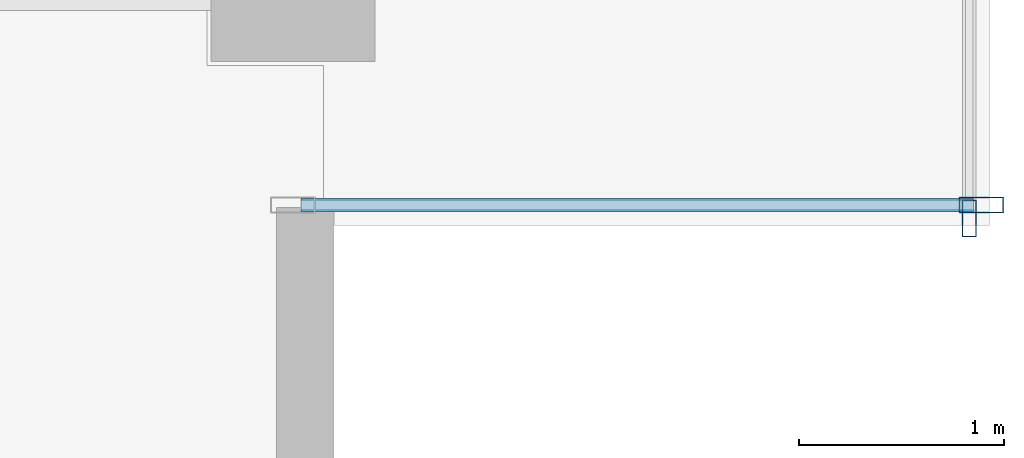
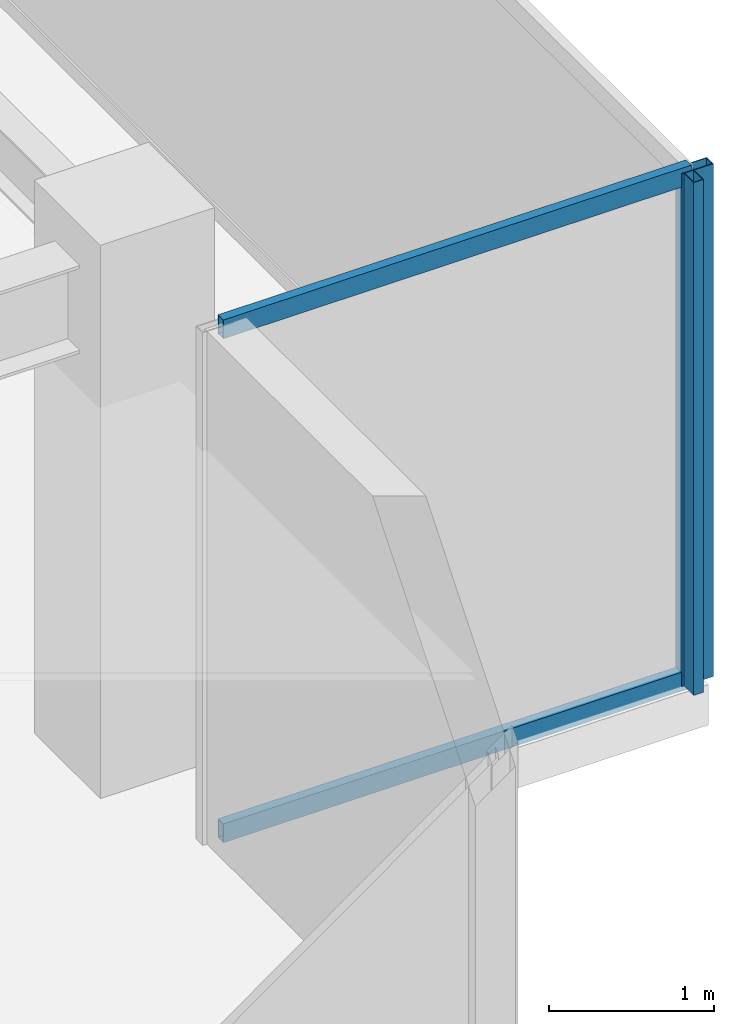
# One storey, part 22 of 35: 4 members, 2 elements without a shape of their own.
"""IFC4 building model written with IfcOpenShell, lengths in metres."""

from ifc_helpers import new_model, si_unit, direction, frame, origin, origin_2d, place, context, subcontext, project, spatial, hollow_rectangle, extrude, source, transform, mapped, material, layer, layer_set, material_profile, profile_set, type_object, type_shapes, element, aggregate, save


model = new_model("IFC4")

# Units and contexts
model_context = context("Model", 3, precision=1e-05, world=origin(), true_north=direction((0.0, 1.0)))
body_context = subcontext(model_context, "Body", "Model", "MODEL_VIEW")
ifc_project = project(units=[si_unit("LENGTHUNIT", "METRE"), si_unit("AREAUNIT", "SQUARE_METRE"), si_unit("VOLUMEUNIT", "CUBIC_METRE"), si_unit("PLANEANGLEUNIT", "RADIAN"), si_unit("MASSUNIT", "GRAM", prefix="KILO")], contexts=[model_context])

# Site, building, storey
site_placement = place(None, origin())
site = spatial("IfcSite", under=ifc_project, at=site_placement, CompositionType="ELEMENT")
building_placement = place(site_placement, origin())
building = spatial("IfcBuilding", under=site, at=building_placement, Name="Haelvirn Gate Laboratories", CompositionType="ELEMENT")
storey_placement = place(building_placement, frame((0.0, 0.0, 201.39990234375)))
storey = spatial("IfcBuildingStorey", under=building, at=storey_placement, Name="L48", CompositionType="ELEMENT", Elevation=201.39990234375)

# Curtain wall, members
ifc_material_1 = material(Name="Anodised bronze unitised aluminium & triple low-E glass", Category="aluminium")
ifc_layer_1 = layer(ifc_material_1, 0.181884765625, Name="CW-SYS-5")
ifc_layer_set_1 = layer_set([ifc_layer_1], Name="Anodised bronze unitised aluminium & triple low-E glass")
curtain_wall_type_1 = type_object("IfcCurtainWallType", Name="CW-SYS-5", PredefinedType="NOTDEFINED", material=ifc_layer_set_1)
curtain_wall_1_placement = place(storey_placement, origin())
curtain_wall_1 = element("IfcCurtainWall", 1, at=curtain_wall_1_placement, inside=storey, type_object=curtain_wall_type_1, Name="L48 Unitised Curtain Wall CW-L48-P0-E06-1", PredefinedType="NOTDEFINED")
ifc_material_2 = material(Name="Extruded aluminium 6063-T6 (anodised bronze)", Category="aluminium")
ifc_material_profile_1 = material_profile(ifc_material_2, hollow_rectangle(XDim=0.06494140625, YDim=0.139892578125, WallThickness=0.00390625, at=origin_2d()), Name="CWT-140x65x4")
ifc_profile_set_1 = profile_set([ifc_material_profile_1], Name="Extruded aluminium 6063-T6 (anodised bronze)")
member_type_1 = type_object("IfcMemberType", Name="CWT-T140", PredefinedType="USERDEFINED", material=ifc_profile_set_1)
shared_shape_1 = source(origin(), body_context, "Body", "SweptSolid", [
    extrude(hollow_rectangle(XDim=0.06494140625, YDim=0.139892578125, WallThickness=0.00390625, at=origin_2d()), origin(), (0.0, 0.0, 1.0), 3.280029296875),
])
type_shapes(member_type_1, [shared_shape_1])
member_1_placement = place(storey_placement, frame((67.43994140625, 5.89990234375, 0.03271484375), z_axis=(1.0, 0.0, 0.0), x_axis=(0.0, 1.0, 0.0)))
member_1 = element("IfcMember", 2, at=member_1_placement, type_object=member_type_1, Name="CW5 transom 1.1", ObjectType="TRANSOM", PredefinedType="USERDEFINED", context=body_context, shape_type="MappedRepresentation", body=[
    mapped(shared_shape_1, transform((0.0, 0.0, 0.0), scale=1.0)),
])
member_2_placement = place(storey_placement, frame((67.43994140625, 5.89990234375, 3.767578125), z_axis=(1.0, 0.0, 0.0), x_axis=(0.0, 1.0, 0.0)))
member_2 = element("IfcMember", 3, at=member_2_placement, type_object=member_type_1, Name="CW5 transom 1.2", ObjectType="TRANSOM", PredefinedType="USERDEFINED", context=body_context, shape_type="MappedRepresentation", body=[
    mapped(shared_shape_1, transform((0.0, 0.0, 0.0), scale=1.0)),
])

# Curtain wall, member
ifc_layer_2 = layer(ifc_material_1, 0.176025390625, Name="CW-SYS-4")
ifc_layer_set_2 = layer_set([ifc_layer_2], Name="Anodised bronze unitised aluminium & triple low-E glass")
curtain_wall_type_2 = type_object("IfcCurtainWallType", Name="CW-SYS-4", PredefinedType="NOTDEFINED", material=ifc_layer_set_2)
curtain_wall_2_placement = place(storey_placement, origin())
curtain_wall_2 = element("IfcCurtainWall", 4, at=curtain_wall_2_placement, inside=storey, type_object=curtain_wall_type_2, Name="L48 Unitised Curtain Wall CW-L48-P0-E07", PredefinedType="NOTDEFINED")
ifc_material_profile_2 = material_profile(ifc_material_2, hollow_rectangle(XDim=0.070068359375, YDim=0.179931640625, WallThickness=0.0048828125, at=origin_2d()), Name="CWM-180x70x5")
ifc_profile_set_2 = profile_set([ifc_material_profile_2], Name="Extruded aluminium 6063-T6 (anodised bronze)")
member_type_2 = type_object("IfcMemberType", Name="CWM-T180", PredefinedType="MULLION", material=ifc_profile_set_2)
shared_shape_2 = source(origin(), body_context, "Body", "SweptSolid", [
    extrude(hollow_rectangle(XDim=0.070068359375, YDim=0.179931640625, WallThickness=0.0048828125, at=origin_2d()), origin(), (0.0, 0.0, 1.0), 3.800048828125),
])
type_shapes(member_type_2, [shared_shape_2])
member_3_placement = place(storey_placement, frame((70.699951171875, 5.8349609375, 0.0), z_axis=(0.0, 0.0, 1.0), x_axis=(-1.0, 0.0, 0.0)))
member_3 = element("IfcMember", 5, at=member_3_placement, type_object=member_type_2, Name="CW4 mullion 1", PredefinedType="MULLION", context=body_context, shape_type="MappedRepresentation", body=[
    mapped(shared_shape_2, transform((0.0, 0.0, 0.0), scale=1.0)),
])
aggregate(curtain_wall_2, [member_3])

# Member
ifc_material_profile_3 = material_profile(ifc_material_2, hollow_rectangle(XDim=0.080078125, YDim=0.219970703125, WallThickness=0.006103515625, at=origin_2d()), Name="CWM-220x80x6")
ifc_profile_set_3 = profile_set([ifc_material_profile_3], Name="Extruded aluminium 6063-T6 (anodised bronze)")
member_type_3 = type_object("IfcMemberType", Name="CWM-T220", PredefinedType="MULLION", material=ifc_profile_set_3)
shared_shape_3 = source(origin(), body_context, "Body", "SweptSolid", [
    extrude(hollow_rectangle(XDim=0.080078125, YDim=0.219970703125, WallThickness=0.006103515625, at=origin_2d()), origin(), (0.0, 0.0, 1.0), 3.800048828125),
])
type_shapes(member_type_3, [shared_shape_3])
member_4_placement = place(storey_placement, frame((70.760009765625, 5.89990234375, 0.0), z_axis=(0.0, 0.0, 1.0), x_axis=(0.0, 1.0, 0.0)))
member_4 = element("IfcMember", 6, at=member_4_placement, type_object=member_type_3, Name="CW5 mullion 2", PredefinedType="MULLION", context=body_context, shape_type="MappedRepresentation", body=[
    mapped(shared_shape_3, transform((0.0, 0.0, 0.0), scale=1.0)),
])

aggregate(curtain_wall_1, [member_4, member_1, member_2])

save(model, "model.ifc")
